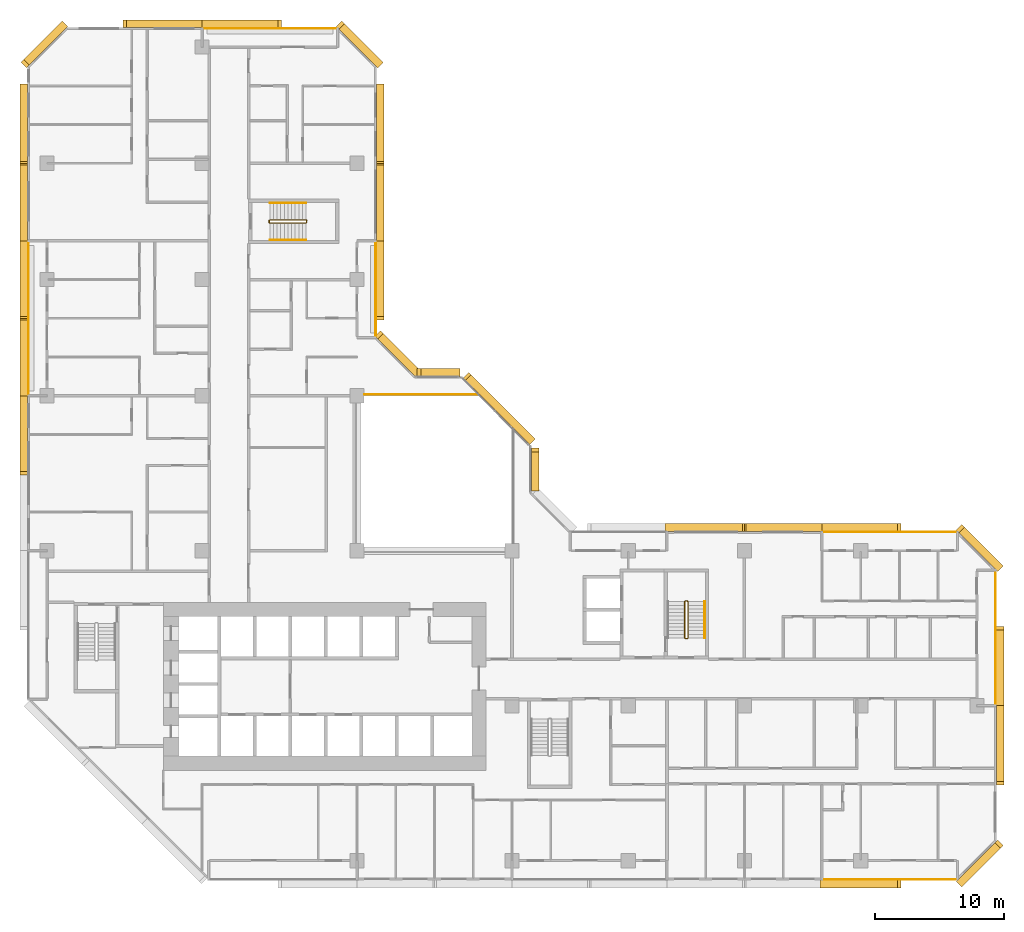
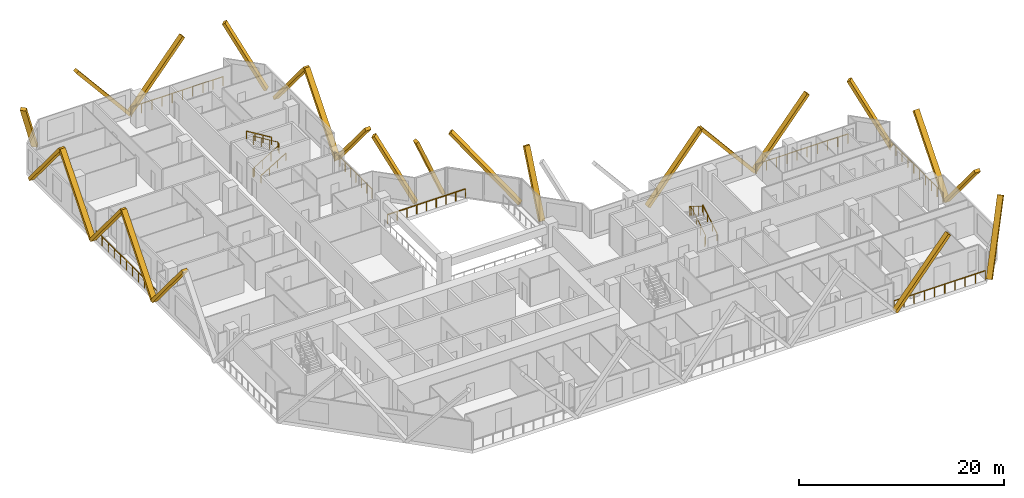
# One storey, part 16 of 16: 24 coverings, 12 railings.
"""IFC4 building model written with IfcOpenShell, lengths in metres."""

from ifc_helpers import new_model, si_unit, direction, frame, origin, origin_2d, place, context, subcontext, project, spatial, rectangle, extrude, material, material_profile, profile_set, type_object, element, save


model = new_model("IFC4")

# Units and contexts
model_context = context("Model", 3, precision=1e-05, world=origin(), true_north=direction((0.0, 1.0)))
body_context = subcontext(model_context, "Body", "Model", "MODEL_VIEW")
ifc_project = project(units=[si_unit("LENGTHUNIT", "METRE"), si_unit("AREAUNIT", "SQUARE_METRE"), si_unit("VOLUMEUNIT", "CUBIC_METRE"), si_unit("PLANEANGLEUNIT", "RADIAN"), si_unit("MASSUNIT", "GRAM", prefix="KILO")], contexts=[model_context])

# Site, building, storey
site_placement = place(None, origin())
site = spatial("IfcSite", under=ifc_project, at=site_placement, CompositionType="ELEMENT")
building_placement = place(site_placement, origin())
building = spatial("IfcBuilding", under=site, at=building_placement, Name="Chenar Terraces", CompositionType="ELEMENT")
storey_placement = place(building_placement, frame((0.0, 0.0, 71.39990234375)))
storey = spatial("IfcBuildingStorey", under=building, at=storey_placement, Name="L15", CompositionType="ELEMENT", Elevation=71.39990234375)

# Railings
ifc_material_1 = material(Name="Powder-coated steel", Category="steel")
railing_type_1 = type_object("IfcRailingType", Name="Guard 1100 steel rail with glass infill", PredefinedType="GUARDRAIL", material=ifc_material_1)
railing_1_placement = place(storey_placement, frame((24.60009765625, 36.10009765625, 0.0)))
element("IfcRailing", 1, at=railing_1_placement, inside=storey, type_object=railing_type_1, Name="Guard L15-2", PredefinedType="GUARDRAIL", context=body_context, shape_type="SweptSolid", body=[
    extrude(rectangle(XDim=0.06005859375, YDim=0.06005859375, at=origin_2d()), frame((0.0, 0.0, 1.070068359375), z_axis=(1.0, 0.0, 0.0), x_axis=(0.0, 1.0, 0.0)), (0.0, 0.0, 1.0), 8.7998046875),
    extrude(rectangle(XDim=0.050048828125, YDim=0.050048828125, at=origin_2d()), origin(), (0.0, 0.0, 1.0), 1.0400390625),
    extrude(rectangle(XDim=0.050048828125, YDim=0.050048828125, at=origin_2d()), frame((1.10009765625, 0.0, 0.0)), (0.0, 0.0, 1.0), 1.0400390625),
    extrude(rectangle(XDim=0.050048828125, YDim=0.050048828125, at=origin_2d()), frame((2.199951171875, 0.0, 0.0)), (0.0, 0.0, 1.0), 1.0400390625),
    extrude(rectangle(XDim=0.050048828125, YDim=0.050048828125, at=origin_2d()), frame((3.2998046875, 0.0, 0.0)), (0.0, 0.0, 1.0), 1.0400390625),
    extrude(rectangle(XDim=0.050048828125, YDim=0.050048828125, at=origin_2d()), frame((4.39990234375, 0.0, 0.0)), (0.0, 0.0, 1.0), 1.0400390625),
    extrude(rectangle(XDim=0.050048828125, YDim=0.050048828125, at=origin_2d()), frame((5.5, 0.0, 0.0)), (0.0, 0.0, 1.0), 1.0400390625),
    extrude(rectangle(XDim=0.050048828125, YDim=0.050048828125, at=origin_2d()), frame((6.599853515625, 0.0, 0.0)), (0.0, 0.0, 1.0), 1.0400390625),
    extrude(rectangle(XDim=0.050048828125, YDim=0.050048828125, at=origin_2d()), frame((7.69970703125, 0.0, 0.0)), (0.0, 0.0, 1.0), 1.0400390625),
    extrude(rectangle(XDim=0.050048828125, YDim=0.050048828125, at=origin_2d()), frame((8.7998046875, 0.0, 0.0)), (0.0, 0.0, 1.0), 1.0400390625),
])
ifc_material_2 = material(Name="Stainless steel and glass", Category="steel")
railing_type_2 = type_object("IfcRailingType", Name="Loggia guard 1150", PredefinedType="GUARDRAIL", material=ifc_material_2)
railing_2_placement = place(storey_placement, frame((25.449951171875, 40.574951171875, 0.0)))
element("IfcRailing", 2, at=railing_2_placement, inside=storey, type_object=railing_type_2, Name="Loggia guard", PredefinedType="GUARDRAIL", context=body_context, shape_type="SweptSolid", body=[
    extrude(rectangle(XDim=0.048095703125, YDim=0.048095703125, at=origin_2d()), frame((0.0, 0.0, 1.1259765625), z_axis=(0.0, 1.0, 0.0), x_axis=(-1.0, 0.0, 0.0)), (0.0, 0.0, 1.0), 7.35009765625),
    extrude(rectangle(XDim=0.0419921875, YDim=0.0419921875, at=origin_2d()), origin(), (0.0, 0.0, 1.0), 1.101806640625),
    extrude(rectangle(XDim=0.0419921875, YDim=0.0419921875, at=origin_2d()), frame((0.0, 1.050048828125, 0.0)), (0.0, 0.0, 1.0), 1.101806640625),
    extrude(rectangle(XDim=0.0419921875, YDim=0.0419921875, at=origin_2d()), frame((0.0, 2.10009765625, 0.0)), (0.0, 0.0, 1.0), 1.101806640625),
    extrude(rectangle(XDim=0.0419921875, YDim=0.0419921875, at=origin_2d()), frame((0.0, 3.150146484375, 0.0)), (0.0, 0.0, 1.0), 1.101806640625),
    extrude(rectangle(XDim=0.0419921875, YDim=0.0419921875, at=origin_2d()), frame((0.0, 4.199951171875, 0.0)), (0.0, 0.0, 1.0), 1.101806640625),
    extrude(rectangle(XDim=0.0419921875, YDim=0.0419921875, at=origin_2d()), frame((0.0, 5.25, 0.0)), (0.0, 0.0, 1.0), 1.101806640625),
    extrude(rectangle(XDim=0.0419921875, YDim=0.0419921875, at=origin_2d()), frame((0.0, 6.300048828125, 0.0)), (0.0, 0.0, 1.0), 1.101806640625),
    extrude(rectangle(XDim=0.0419921875, YDim=0.0419921875, at=origin_2d()), frame((0.0, 7.35009765625, 0.0)), (0.0, 0.0, 1.0), 1.101806640625),
])
railing_3_placement = place(storey_placement, frame((73.449951171875, 12.074951171875, 0.0)))
element("IfcRailing", 3, at=railing_3_placement, inside=storey, type_object=railing_type_2, Name="Loggia guard", PredefinedType="GUARDRAIL", context=body_context, shape_type="SweptSolid", body=[
    extrude(rectangle(XDim=0.048095703125, YDim=0.048095703125, at=origin_2d()), frame((0.0, 0.0, 1.1259765625), z_axis=(0.0, 1.0, 0.0), x_axis=(-1.0, 0.0, 0.0)), (0.0, 0.0, 1.0), 10.35009765625),
    extrude(rectangle(XDim=0.0419921875, YDim=0.0419921875, at=origin_2d()), origin(), (0.0, 0.0, 1.0), 1.101806640625),
    extrude(rectangle(XDim=0.0419921875, YDim=0.0419921875, at=origin_2d()), frame((0.0, 1.14990234375, 0.0)), (0.0, 0.0, 1.0), 1.101806640625),
    extrude(rectangle(XDim=0.0419921875, YDim=0.0419921875, at=origin_2d()), frame((0.0, 2.300048828125, 0.0)), (0.0, 0.0, 1.0), 1.101806640625),
    extrude(rectangle(XDim=0.0419921875, YDim=0.0419921875, at=origin_2d()), frame((0.0, 3.449951171875, 0.0)), (0.0, 0.0, 1.0), 1.101806640625),
    extrude(rectangle(XDim=0.0419921875, YDim=0.0419921875, at=origin_2d()), frame((0.0, 4.60009765625, 0.0)), (0.0, 0.0, 1.0), 1.101806640625),
    extrude(rectangle(XDim=0.0419921875, YDim=0.0419921875, at=origin_2d()), frame((0.0, 5.75, 0.0)), (0.0, 0.0, 1.0), 1.101806640625),
    extrude(rectangle(XDim=0.0419921875, YDim=0.0419921875, at=origin_2d()), frame((0.0, 6.900146484375, 0.0)), (0.0, 0.0, 1.0), 1.101806640625),
    extrude(rectangle(XDim=0.0419921875, YDim=0.0419921875, at=origin_2d()), frame((0.0, 8.050048828125, 0.0)), (0.0, 0.0, 1.0), 1.101806640625),
    extrude(rectangle(XDim=0.0419921875, YDim=0.0419921875, at=origin_2d()), frame((0.0, 9.2001953125, 0.0)), (0.0, 0.0, 1.0), 1.101806640625),
    extrude(rectangle(XDim=0.0419921875, YDim=0.0419921875, at=origin_2d()), frame((0.0, 10.35009765625, 0.0)), (0.0, 0.0, 1.0), 1.101806640625),
])
for number, where, name in (
    (4, (70.425048828125, 25.449951171875, 0.0), "Loggia guard"),
    (5, (22.425048828125, 64.449951171875, 0.0), "Loggia guard"),
):
    element("IfcRailing", number, at=place(storey_placement, frame(where)), inside=storey, type_object=railing_type_2, Name=name, PredefinedType="GUARDRAIL", context=body_context, shape_type="SweptSolid", body=[
        extrude(rectangle(XDim=0.048095703125, YDim=0.048095703125, at=origin_2d()), frame((0.0, 0.0, 1.1259765625), z_axis=(-1.0, 0.0, 0.0), x_axis=(0.0, -1.0, 0.0)), (0.0, 0.0, 1.0), 10.35009765625),
        extrude(rectangle(XDim=0.0419921875, YDim=0.0419921875, at=origin_2d()), origin(), (0.0, 0.0, 1.0), 1.101806640625),
        extrude(rectangle(XDim=0.0419921875, YDim=0.0419921875, at=origin_2d()), frame((-1.14990234375, 0.0, 0.0)), (0.0, 0.0, 1.0), 1.101806640625),
        extrude(rectangle(XDim=0.0419921875, YDim=0.0419921875, at=origin_2d()), frame((-2.300048828125, 0.0, 0.0)), (0.0, 0.0, 1.0), 1.101806640625),
        extrude(rectangle(XDim=0.0419921875, YDim=0.0419921875, at=origin_2d()), frame((-3.449951171875, 0.0, 0.0)), (0.0, 0.0, 1.0), 1.101806640625),
        extrude(rectangle(XDim=0.0419921875, YDim=0.0419921875, at=origin_2d()), frame((-4.60009765625, 0.0, 0.0)), (0.0, 0.0, 1.0), 1.101806640625),
        extrude(rectangle(XDim=0.0419921875, YDim=0.0419921875, at=origin_2d()), frame((-5.75, 0.0, 0.0)), (0.0, 0.0, 1.0), 1.101806640625),
        extrude(rectangle(XDim=0.0419921875, YDim=0.0419921875, at=origin_2d()), frame((-6.900146484375, 0.0, 0.0)), (0.0, 0.0, 1.0), 1.101806640625),
        extrude(rectangle(XDim=0.0419921875, YDim=0.0419921875, at=origin_2d()), frame((-8.050048828125, 0.0, 0.0)), (0.0, 0.0, 1.0), 1.101806640625),
        extrude(rectangle(XDim=0.0419921875, YDim=0.0419921875, at=origin_2d()), frame((-9.2001953125, 0.0, 0.0)), (0.0, 0.0, 1.0), 1.101806640625),
        extrude(rectangle(XDim=0.0419921875, YDim=0.0419921875, at=origin_2d()), frame((-10.35009765625, 0.0, 0.0)), (0.0, 0.0, 1.0), 1.101806640625),
    ])
railing_4_placement = place(storey_placement, frame((60.074951171875, -1.449951171875, 0.0)))
element("IfcRailing", 6, at=railing_4_placement, inside=storey, type_object=railing_type_2, Name="Loggia guard", PredefinedType="GUARDRAIL", context=body_context, shape_type="SweptSolid", body=[
    extrude(rectangle(XDim=0.048095703125, YDim=0.048095703125, at=origin_2d()), frame((0.0, 0.0, 1.1259765625), z_axis=(1.0, 0.0, 0.0), x_axis=(0.0, 1.0, 0.0)), (0.0, 0.0, 1.0), 10.35009765625),
    extrude(rectangle(XDim=0.0419921875, YDim=0.0419921875, at=origin_2d()), origin(), (0.0, 0.0, 1.0), 1.101806640625),
    extrude(rectangle(XDim=0.0419921875, YDim=0.0419921875, at=origin_2d()), frame((1.14990234375, 0.0, 0.0)), (0.0, 0.0, 1.0), 1.101806640625),
    extrude(rectangle(XDim=0.0419921875, YDim=0.0419921875, at=origin_2d()), frame((2.300048828125, 0.0, 0.0)), (0.0, 0.0, 1.0), 1.101806640625),
    extrude(rectangle(XDim=0.0419921875, YDim=0.0419921875, at=origin_2d()), frame((3.449951171875, 0.0, 0.0)), (0.0, 0.0, 1.0), 1.101806640625),
    extrude(rectangle(XDim=0.0419921875, YDim=0.0419921875, at=origin_2d()), frame((4.60009765625, 0.0, 0.0)), (0.0, 0.0, 1.0), 1.101806640625),
    extrude(rectangle(XDim=0.0419921875, YDim=0.0419921875, at=origin_2d()), frame((5.75, 0.0, 0.0)), (0.0, 0.0, 1.0), 1.101806640625),
    extrude(rectangle(XDim=0.0419921875, YDim=0.0419921875, at=origin_2d()), frame((6.900146484375, 0.0, 0.0)), (0.0, 0.0, 1.0), 1.101806640625),
    extrude(rectangle(XDim=0.0419921875, YDim=0.0419921875, at=origin_2d()), frame((8.050048828125, 0.0, 0.0)), (0.0, 0.0, 1.0), 1.101806640625),
    extrude(rectangle(XDim=0.0419921875, YDim=0.0419921875, at=origin_2d()), frame((9.2001953125, 0.0, 0.0)), (0.0, 0.0, 1.0), 1.101806640625),
    extrude(rectangle(XDim=0.0419921875, YDim=0.0419921875, at=origin_2d()), frame((10.35009765625, 0.0, 0.0)), (0.0, 0.0, 1.0), 1.101806640625),
])
railing_5_placement = place(storey_placement, frame((-1.449951171875, 47.925048828125, 0.0)))
element("IfcRailing", 7, at=railing_5_placement, inside=storey, type_object=railing_type_2, Name="Loggia guard", PredefinedType="GUARDRAIL", context=body_context, shape_type="SweptSolid", body=[
    extrude(rectangle(XDim=0.048095703125, YDim=0.048095703125, at=origin_2d()), frame((0.0, 0.0, 1.1259765625), z_axis=(0.0, -1.0, 0.0), x_axis=(1.0, 0.0, 0.0)), (0.0, 0.0, 1.0), 11.85009765625),
    extrude(rectangle(XDim=0.0419921875, YDim=0.0419921875, at=origin_2d()), origin(), (0.0, 0.0, 1.0), 1.101806640625),
    extrude(rectangle(XDim=0.0419921875, YDim=0.0419921875, at=origin_2d()), frame((0.0, -1.18505859375, 0.0)), (0.0, 0.0, 1.0), 1.101806640625),
    extrude(rectangle(XDim=0.0419921875, YDim=0.0419921875, at=origin_2d()), frame((0.0, -2.3701171875, 0.0)), (0.0, 0.0, 1.0), 1.101806640625),
    extrude(rectangle(XDim=0.0419921875, YDim=0.0419921875, at=origin_2d()), frame((0.0, -3.554931640625, 0.0)), (0.0, 0.0, 1.0), 1.101806640625),
    extrude(rectangle(XDim=0.0419921875, YDim=0.0419921875, at=origin_2d()), frame((0.0, -4.739990234375, 0.0)), (0.0, 0.0, 1.0), 1.101806640625),
    extrude(rectangle(XDim=0.0419921875, YDim=0.0419921875, at=origin_2d()), frame((0.0, -5.925048828125, 0.0)), (0.0, 0.0, 1.0), 1.101806640625),
    extrude(rectangle(XDim=0.0419921875, YDim=0.0419921875, at=origin_2d()), frame((0.0, -7.110107421875, 0.0)), (0.0, 0.0, 1.0), 1.101806640625),
    extrude(rectangle(XDim=0.0419921875, YDim=0.0419921875, at=origin_2d()), frame((0.0, -8.295166015625, 0.0)), (0.0, 0.0, 1.0), 1.101806640625),
    extrude(rectangle(XDim=0.0419921875, YDim=0.0419921875, at=origin_2d()), frame((0.0, -9.47998046875, 0.0)), (0.0, 0.0, 1.0), 1.101806640625),
    extrude(rectangle(XDim=0.0419921875, YDim=0.0419921875, at=origin_2d()), frame((0.0, -10.6650390625, 0.0)), (0.0, 0.0, 1.0), 1.101806640625),
    extrude(rectangle(XDim=0.0419921875, YDim=0.0419921875, at=origin_2d()), frame((0.0, -11.85009765625, 0.0)), (0.0, 0.0, 1.0), 1.101806640625),
])
ifc_material_3 = material(Name="Powder-coated steel", Category="steel")
railing_type_3 = type_object("IfcRailingType", Name="Stair guard 1100", PredefinedType="GUARDRAIL", material=ifc_material_3)
railing_6_placement = place(storey_placement, frame((49.375, 17.25, 3.75)))
element("IfcRailing", 8, at=railing_6_placement, inside=storey, type_object=railing_type_3, Name="L15 ST3 stair guard 1", PredefinedType="GUARDRAIL", context=body_context, shape_type="SweptSolid", body=[
    extrude(rectangle(XDim=0.048095703125, YDim=0.048095703125, at=origin_2d()), frame((0.0, 0.0, 1.076171875), z_axis=(0.0, 0.854202870247, -0.519939858505), x_axis=(-1.0, 0.0, 0.0)), (0.0, 0.0, 1.0), 3.278076171875),
    extrude(rectangle(XDim=0.048095703125, YDim=0.048095703125, at=origin_2d()), frame((0.0, 2.800048828125, -0.62841796875), z_axis=(0.270899902878, 0.270899902878, -0.923702595667), x_axis=(-0.707106781187, 0.707106781187, 0.0)), (0.0, 0.0, 1.0), 0.184814453125),
    extrude(rectangle(XDim=0.048095703125, YDim=0.048095703125, at=origin_2d()), frame((0.050048828125, 2.85009765625, -0.798828125), z_axis=(1.0, 0.0, 0.0), x_axis=(0.0, 1.0, 0.0)), (0.0, 0.0, 1.0), 0.14990234375),
    extrude(rectangle(XDim=0.048095703125, YDim=0.048095703125, at=origin_2d()), frame((0.199951171875, 2.85009765625, -0.798828125), z_axis=(0.707106781187, -0.707106781187, 0.0), x_axis=(0.707106781187, 0.707106781187, 0.0)), (0.0, 0.0, 1.0), 0.07080078125),
    extrude(rectangle(XDim=0.048095703125, YDim=0.048095703125, at=origin_2d()), frame((0.25, 2.800048828125, -0.798828125), z_axis=(0.0, -0.854202870247, -0.519939858505), x_axis=(1.0, 0.0, 0.0)), (0.0, 0.0, 1.0), 3.278076171875),
    extrude(rectangle(XDim=0.048095703125, YDim=0.048095703125, at=origin_2d()), frame((0.25, 0.0, -2.50341796875), z_axis=(-0.270899902878, -0.270899902878, -0.923702595667), x_axis=(0.707106781187, -0.707106781187, 0.0)), (0.0, 0.0, 1.0), 0.184814453125),
    extrude(rectangle(XDim=0.048095703125, YDim=0.048095703125, at=origin_2d()), frame((0.199951171875, -0.050048828125, -2.673828125), z_axis=(-1.0, 0.0, 0.0), x_axis=(0.0, -1.0, 0.0)), (0.0, 0.0, 1.0), 0.14990234375),
    extrude(rectangle(XDim=0.0419921875, YDim=0.0419921875, at=origin_2d()), origin(), (0.0, 0.0, 1.0), 1.052001953125),
    extrude(rectangle(XDim=0.0419921875, YDim=0.0419921875, at=origin_2d()), frame((0.0, 0.933349609375, -0.568115234375)), (0.0, 0.0, 1.0), 1.052001953125),
    extrude(rectangle(XDim=0.0419921875, YDim=0.0419921875, at=origin_2d()), frame((0.0, 1.86669921875, -1.13623046875)), (0.0, 0.0, 1.0), 1.052001953125),
    extrude(rectangle(XDim=0.0419921875, YDim=0.0419921875, at=origin_2d()), frame((0.0, 2.800048828125, -1.704345703125)), (0.0, 0.0, 1.0), 1.052001953125),
    extrude(rectangle(XDim=0.0419921875, YDim=0.0419921875, at=origin_2d()), frame((0.050048828125, 2.85009765625, -1.875)), (0.0, 0.0, 1.0), 1.052001953125),
    extrude(rectangle(XDim=0.0419921875, YDim=0.0419921875, at=origin_2d()), frame((0.199951171875, 2.85009765625, -1.875)), (0.0, 0.0, 1.0), 1.052001953125),
    extrude(rectangle(XDim=0.0419921875, YDim=0.0419921875, at=origin_2d()), frame((0.25, 2.800048828125, -1.875)), (0.0, 0.0, 1.0), 1.052001953125),
    extrude(rectangle(XDim=0.0419921875, YDim=0.0419921875, at=origin_2d()), frame((0.25, 1.86669921875, -2.443115234375)), (0.0, 0.0, 1.0), 1.052001953125),
    extrude(rectangle(XDim=0.0419921875, YDim=0.0419921875, at=origin_2d()), frame((0.25, 0.933349609375, -3.01123046875)), (0.0, 0.0, 1.0), 1.052001953125),
    extrude(rectangle(XDim=0.0419921875, YDim=0.0419921875, at=origin_2d()), frame((0.25, 0.0, -3.579345703125)), (0.0, 0.0, 1.0), 1.052001953125),
    extrude(rectangle(XDim=0.0419921875, YDim=0.0419921875, at=origin_2d()), frame((0.199951171875, -0.050048828125, -3.75)), (0.0, 0.0, 1.0), 1.052001953125),
    extrude(rectangle(XDim=0.0419921875, YDim=0.0419921875, at=origin_2d()), frame((0.050048828125, -0.050048828125, -3.75)), (0.0, 0.0, 1.0), 1.052001953125),
])
railing_7_placement = place(storey_placement, frame((17.25, 49.625, 3.75)))
element("IfcRailing", 9, at=railing_7_placement, inside=storey, type_object=railing_type_3, Name="L15 ST4 stair guard 1", PredefinedType="GUARDRAIL", context=body_context, shape_type="SweptSolid", body=[
    extrude(rectangle(XDim=0.048095703125, YDim=0.048095703125, at=origin_2d()), frame((0.0, 0.0, 1.076171875), z_axis=(0.854202870247, 0.0, -0.519939858505), x_axis=(0.0, 1.0, 0.0)), (0.0, 0.0, 1.0), 3.278076171875),
    extrude(rectangle(XDim=0.048095703125, YDim=0.048095703125, at=origin_2d()), frame((2.800048828125, 0.0, -0.62841796875), z_axis=(0.270899902878, -0.270899902878, -0.923702595667), x_axis=(0.707106781187, 0.707106781187, 0.0)), (0.0, 0.0, 1.0), 0.184814453125),
    extrude(rectangle(XDim=0.048095703125, YDim=0.048095703125, at=origin_2d()), frame((2.85009765625, -0.050048828125, -0.798828125), z_axis=(0.0, -1.0, 0.0), x_axis=(1.0, 0.0, 0.0)), (0.0, 0.0, 1.0), 0.14990234375),
    extrude(rectangle(XDim=0.048095703125, YDim=0.048095703125, at=origin_2d()), frame((2.85009765625, -0.199951171875, -0.798828125), z_axis=(-0.707106781187, -0.707106781187, 0.0), x_axis=(0.707106781187, -0.707106781187, 0.0)), (0.0, 0.0, 1.0), 0.07080078125),
    extrude(rectangle(XDim=0.048095703125, YDim=0.048095703125, at=origin_2d()), frame((2.800048828125, -0.25, -0.798828125), z_axis=(-0.854202870247, 0.0, -0.519939858505), x_axis=(0.0, -1.0, 0.0)), (0.0, 0.0, 1.0), 3.278076171875),
    extrude(rectangle(XDim=0.048095703125, YDim=0.048095703125, at=origin_2d()), frame((0.0, -0.25, -2.50341796875), z_axis=(-0.270899902878, 0.270899902878, -0.923702595667), x_axis=(-0.707106781187, -0.707106781187, 0.0)), (0.0, 0.0, 1.0), 0.184814453125),
    extrude(rectangle(XDim=0.048095703125, YDim=0.048095703125, at=origin_2d()), frame((-0.050048828125, -0.199951171875, -2.673828125), z_axis=(0.0, 1.0, 0.0), x_axis=(-1.0, 0.0, 0.0)), (0.0, 0.0, 1.0), 0.14990234375),
    extrude(rectangle(XDim=0.0419921875, YDim=0.0419921875, at=origin_2d()), origin(), (0.0, 0.0, 1.0), 1.052001953125),
    extrude(rectangle(XDim=0.0419921875, YDim=0.0419921875, at=origin_2d()), frame((0.933349609375, 0.0, -0.568115234375)), (0.0, 0.0, 1.0), 1.052001953125),
    extrude(rectangle(XDim=0.0419921875, YDim=0.0419921875, at=origin_2d()), frame((1.86669921875, 0.0, -1.13623046875)), (0.0, 0.0, 1.0), 1.052001953125),
    extrude(rectangle(XDim=0.0419921875, YDim=0.0419921875, at=origin_2d()), frame((2.800048828125, 0.0, -1.704345703125)), (0.0, 0.0, 1.0), 1.052001953125),
    extrude(rectangle(XDim=0.0419921875, YDim=0.0419921875, at=origin_2d()), frame((2.85009765625, -0.050048828125, -1.875)), (0.0, 0.0, 1.0), 1.052001953125),
    extrude(rectangle(XDim=0.0419921875, YDim=0.0419921875, at=origin_2d()), frame((2.85009765625, -0.199951171875, -1.875)), (0.0, 0.0, 1.0), 1.052001953125),
    extrude(rectangle(XDim=0.0419921875, YDim=0.0419921875, at=origin_2d()), frame((2.800048828125, -0.25, -1.875)), (0.0, 0.0, 1.0), 1.052001953125),
    extrude(rectangle(XDim=0.0419921875, YDim=0.0419921875, at=origin_2d()), frame((1.86669921875, -0.25, -2.443115234375)), (0.0, 0.0, 1.0), 1.052001953125),
    extrude(rectangle(XDim=0.0419921875, YDim=0.0419921875, at=origin_2d()), frame((0.933349609375, -0.25, -3.01123046875)), (0.0, 0.0, 1.0), 1.052001953125),
    extrude(rectangle(XDim=0.0419921875, YDim=0.0419921875, at=origin_2d()), frame((0.0, -0.25, -3.579345703125)), (0.0, 0.0, 1.0), 1.052001953125),
    extrude(rectangle(XDim=0.0419921875, YDim=0.0419921875, at=origin_2d()), frame((-0.050048828125, -0.199951171875, -3.75)), (0.0, 0.0, 1.0), 1.052001953125),
    extrude(rectangle(XDim=0.0419921875, YDim=0.0419921875, at=origin_2d()), frame((-0.050048828125, -0.050048828125, -3.75)), (0.0, 0.0, 1.0), 1.052001953125),
])
ifc_material_4 = material(Name="Powder-coated steel", Category="steel")
railing_type_4 = type_object("IfcRailingType", Name="Stair handrail 900", PredefinedType="HANDRAIL", material=ifc_material_4)
railing_8_placement = place(storey_placement, frame((50.925048828125, 17.25, 0.170654296875)))
element("IfcRailing", 10, at=railing_8_placement, inside=storey, type_object=railing_type_4, Name="L15 ST3 stair handrail 1", PredefinedType="HANDRAIL", context=body_context, shape_type="SweptSolid", body=[
    extrude(rectangle(XDim=0.048095703125, YDim=0.048095703125, at=origin_2d()), frame((0.0, 0.0, 0.8759765625), z_axis=(0.0, 0.854202870247, 0.519939858505), x_axis=(-1.0, 0.0, 0.0)), (0.0, 0.0, 1.0), 3.278076171875),
    extrude(rectangle(XDim=0.0419921875, YDim=0.0419921875, at=origin_2d()), origin(), (0.0, 0.0, 1.0), 0.851806640625),
    extrude(rectangle(XDim=0.0419921875, YDim=0.0419921875, at=origin_2d()), frame((0.0, 0.933349609375, 0.568115234375)), (0.0, 0.0, 1.0), 0.851806640625),
    extrude(rectangle(XDim=0.0419921875, YDim=0.0419921875, at=origin_2d()), frame((0.0, 1.86669921875, 1.13623046875)), (0.0, 0.0, 1.0), 0.851806640625),
    extrude(rectangle(XDim=0.0419921875, YDim=0.0419921875, at=origin_2d()), frame((0.0, 2.800048828125, 1.704345703125)), (0.0, 0.0, 1.0), 0.851806640625),
])
railing_9_placement = place(storey_placement, frame((17.25, 48.074951171875, 0.170654296875)))
element("IfcRailing", 11, at=railing_9_placement, inside=storey, type_object=railing_type_4, Name="L15 ST4 stair handrail 1", PredefinedType="HANDRAIL", context=body_context, shape_type="SweptSolid", body=[
    extrude(rectangle(XDim=0.048095703125, YDim=0.048095703125, at=origin_2d()), frame((0.0, 0.0, 0.8759765625), z_axis=(0.854202870247, 0.0, 0.519939858505), x_axis=(0.0, 1.0, 0.0)), (0.0, 0.0, 1.0), 3.278076171875),
    extrude(rectangle(XDim=0.0419921875, YDim=0.0419921875, at=origin_2d()), origin(), (0.0, 0.0, 1.0), 0.851806640625),
    extrude(rectangle(XDim=0.0419921875, YDim=0.0419921875, at=origin_2d()), frame((0.933349609375, 0.0, 0.568115234375)), (0.0, 0.0, 1.0), 0.851806640625),
    extrude(rectangle(XDim=0.0419921875, YDim=0.0419921875, at=origin_2d()), frame((1.86669921875, 0.0, 1.13623046875)), (0.0, 0.0, 1.0), 0.851806640625),
    extrude(rectangle(XDim=0.0419921875, YDim=0.0419921875, at=origin_2d()), frame((2.800048828125, 0.0, 1.704345703125)), (0.0, 0.0, 1.0), 0.851806640625),
])
railing_10_placement = place(storey_placement, frame((20.050048828125, 50.925048828125, 2.045654296875)))
element("IfcRailing", 12, at=railing_10_placement, inside=storey, type_object=railing_type_4, Name="L15 ST4 stair handrail 2", PredefinedType="HANDRAIL", context=body_context, shape_type="SweptSolid", body=[
    extrude(rectangle(XDim=0.048095703125, YDim=0.048095703125, at=origin_2d()), frame((0.0, 0.0, 0.8759765625), z_axis=(-0.854202870247, 0.0, 0.519939858505), x_axis=(0.0, -1.0, 0.0)), (0.0, 0.0, 1.0), 3.278076171875),
    extrude(rectangle(XDim=0.0419921875, YDim=0.0419921875, at=origin_2d()), origin(), (0.0, 0.0, 1.0), 0.851806640625),
    extrude(rectangle(XDim=0.0419921875, YDim=0.0419921875, at=origin_2d()), frame((-0.933349609375, 0.0, 0.568115234375)), (0.0, 0.0, 1.0), 0.851806640625),
    extrude(rectangle(XDim=0.0419921875, YDim=0.0419921875, at=origin_2d()), frame((-1.86669921875, 0.0, 1.13623046875)), (0.0, 0.0, 1.0), 0.851806640625),
    extrude(rectangle(XDim=0.0419921875, YDim=0.0419921875, at=origin_2d()), frame((-2.800048828125, 0.0, 1.704345703125)), (0.0, 0.0, 1.0), 0.851806640625),
])

# Coverings
ifc_material_5 = material(Name="Terracotta", Category="masonry")
ifc_material_profile = material_profile(ifc_material_5, rectangle(XDim=0.60009765625, YDim=0.35009765625, at=origin_2d()), Name="Terracotta baguette 600 x 350")
ifc_profile_set = profile_set([ifc_material_profile], Name="Terracotta")
covering_type = type_object("IfcCoveringType", Name="Terracotta baguette 600 x 350", PredefinedType="CLADDING", material=ifc_profile_set)
for number, where, z_axis, x_axis, name in (
    (13, (66.0, 25.800048828125, 7.35009765625), (-0.640186961885, 0.0, -0.768219144407), (0.0, -1.0, 0.0), "Terracotta baguette"),
    (14, (60.0, 25.800048828125, 0.150146484375), (-0.640186961885, 0.0, 0.768219144407), (0.0, -1.0, 0.0), "Terracotta baguette"),
    (15, (54.0, 25.800048828125, 7.35009765625), (-0.640186961885, 0.0, -0.768219144407), (0.0, -1.0, 0.0), "Terracotta baguette"),
):
    element("IfcCovering", number, at=place(storey_placement, frame(where, z_axis=z_axis, x_axis=x_axis)), inside=storey, type_object=covering_type, Name=name, PredefinedType="CLADDING", context=body_context, shape_type="SweptSolid", body=[
        extrude(rectangle(XDim=0.60009765625, YDim=0.35009765625, at=origin_2d()), origin(), (0.0, 0.0, 1.0), 9.372314453125),
    ])
covering_1_placement = place(storey_placement, frame((37.800048828125, 28.800048828125, 0.150146484375), z_axis=(0.0, 0.384617607118, 0.923075997031), x_axis=(-1.0, 0.0, 0.0)))
element("IfcCovering", 16, at=covering_1_placement, inside=storey, type_object=covering_type, Name="Terracotta baguette", PredefinedType="CLADDING", context=body_context, shape_type="SweptSolid", body=[
    extrude(rectangle(XDim=0.60009765625, YDim=0.35009765625, at=origin_2d()), origin(), (0.0, 0.0, 1.0), 7.800048828125),
])
covering_2_placement = place(storey_placement, frame((37.5, 32.524169921875, 0.150146484375), z_axis=(-0.494240720479, 0.494240720479, 0.715158877761), x_axis=(-0.707106781187, -0.707106781187, 0.0)))
element("IfcCovering", 17, at=covering_2_placement, inside=storey, type_object=covering_type, Name="Terracotta baguette", PredefinedType="CLADDING", context=body_context, shape_type="SweptSolid", body=[
    extrude(rectangle(XDim=0.60009765625, YDim=0.35009765625, at=origin_2d()), origin(), (0.0, 0.0, 1.0), 10.067626953125),
])
covering_3_placement = place(storey_placement, frame((31.800048828125, 37.800048828125, 0.150146484375), z_axis=(-0.384617607118, 0.0, 0.923075997031), x_axis=(0.0, -1.0, 0.0)))
element("IfcCovering", 18, at=covering_3_placement, inside=storey, type_object=covering_type, Name="Terracotta baguette", PredefinedType="CLADDING", context=body_context, shape_type="SweptSolid", body=[
    extrude(rectangle(XDim=0.60009765625, YDim=0.35009765625, at=origin_2d()), origin(), (0.0, 0.0, 1.0), 7.800048828125),
])
covering_4_placement = place(storey_placement, frame((28.712158203125, 37.712158203125, 0.150146484375), z_axis=(-0.358980886355, 0.358980886355, 0.861548284464), x_axis=(-0.707106781187, -0.707106781187, 0.0)))
element("IfcCovering", 19, at=covering_4_placement, inside=storey, type_object=covering_type, Name="Terracotta baguette", PredefinedType="CLADDING", context=body_context, shape_type="SweptSolid", body=[
    extrude(rectangle(XDim=0.60009765625, YDim=0.35009765625, at=origin_2d()), origin(), (0.0, 0.0, 1.0), 8.35693359375),
])
for number, where, z_axis, x_axis, name in (
    (20, (25.800048828125, 42.0, 7.35009765625), (0.0, 0.640186961885, -0.768219144407), (-1.0, 0.0, 0.0), "Terracotta baguette"),
    (21, (25.800048828125, 48.0, 0.150146484375), (0.0, 0.640186961885, 0.768219144407), (-1.0, 0.0, 0.0), "Terracotta baguette"),
    (22, (25.800048828125, 54.0, 7.35009765625), (0.0, 0.640186961885, -0.768219144407), (-1.0, 0.0, 0.0), "Terracotta baguette"),
):
    element("IfcCovering", number, at=place(storey_placement, frame(where, z_axis=z_axis, x_axis=x_axis)), inside=storey, type_object=covering_type, Name=name, PredefinedType="CLADDING", context=body_context, shape_type="SweptSolid", body=[
        extrude(rectangle(XDim=0.60009765625, YDim=0.35009765625, at=origin_2d()), origin(), (0.0, 0.0, 1.0), 9.372314453125),
    ])
covering_5_placement = place(storey_placement, frame((25.712158203125, 61.712158203125, 0.150146484375), z_axis=(-0.358980886355, 0.358980886355, 0.861548284464), x_axis=(-0.707106781187, -0.707106781187, 0.0)))
element("IfcCovering", 23, at=covering_5_placement, inside=storey, type_object=covering_type, Name="Terracotta baguette", PredefinedType="CLADDING", context=body_context, shape_type="SweptSolid", body=[
    extrude(rectangle(XDim=0.60009765625, YDim=0.35009765625, at=origin_2d()), origin(), (0.0, 0.0, 1.0), 8.35693359375),
])
for number, where, z_axis, x_axis, name in (
    (24, (18.0, 64.800048828125, 7.35009765625), (-0.640186961885, 0.0, -0.768219144407), (0.0, -1.0, 0.0), "Terracotta baguette"),
    (25, (12.0, 64.800048828125, 0.150146484375), (-0.640186961885, 0.0, 0.768219144407), (0.0, -1.0, 0.0), "Terracotta baguette"),
):
    element("IfcCovering", number, at=place(storey_placement, frame(where, z_axis=z_axis, x_axis=x_axis)), inside=storey, type_object=covering_type, Name=name, PredefinedType="CLADDING", context=body_context, shape_type="SweptSolid", body=[
        extrude(rectangle(XDim=0.60009765625, YDim=0.35009765625, at=origin_2d()), origin(), (0.0, 0.0, 1.0), 9.372314453125),
    ])
covering_6_placement = place(storey_placement, frame((1.287841796875, 64.712158203125, 0.150146484375), z_axis=(-0.358980886355, -0.358980886355, 0.861548284464), x_axis=(0.707106781187, -0.707106781187, 0.0)))
element("IfcCovering", 26, at=covering_6_placement, inside=storey, type_object=covering_type, Name="Terracotta baguette", PredefinedType="CLADDING", context=body_context, shape_type="SweptSolid", body=[
    extrude(rectangle(XDim=0.60009765625, YDim=0.35009765625, at=origin_2d()), origin(), (0.0, 0.0, 1.0), 8.35693359375),
])
for number, where, z_axis, x_axis, name in (
    (27, (-1.800048828125, 60.0, 0.150146484375), (0.0, -0.640186961885, 0.768219144407), (1.0, 0.0, 0.0), "Terracotta baguette"),
    (28, (-1.800048828125, 54.0, 7.35009765625), (0.0, -0.640186961885, -0.768219144407), (1.0, 0.0, 0.0), "Terracotta baguette"),
    (29, (-1.800048828125, 48.0, 0.150146484375), (0.0, -0.640186961885, 0.768219144407), (1.0, 0.0, 0.0), "Terracotta baguette"),
    (30, (-1.800048828125, 42.0, 7.35009765625), (0.0, -0.640186961885, -0.768219144407), (1.0, 0.0, 0.0), "Terracotta baguette"),
    (31, (-1.800048828125, 36.0, 0.150146484375), (0.0, -0.640186961885, 0.768219144407), (1.0, 0.0, 0.0), "Terracotta baguette"),
    (32, (60.0, -1.800048828125, 0.150146484375), (0.640186961885, 0.0, 0.768219144407), (0.0, 1.0, 0.0), "Terracotta baguette"),
):
    element("IfcCovering", number, at=place(storey_placement, frame(where, z_axis=z_axis, x_axis=x_axis)), inside=storey, type_object=covering_type, Name=name, PredefinedType="CLADDING", context=body_context, shape_type="SweptSolid", body=[
        extrude(rectangle(XDim=0.60009765625, YDim=0.35009765625, at=origin_2d()), origin(), (0.0, 0.0, 1.0), 9.372314453125),
    ])
covering_7_placement = place(storey_placement, frame((70.712158203125, -1.712158203125, 0.150146484375), z_axis=(0.358980886355, 0.358980886355, 0.861548284464), x_axis=(-0.707106781187, 0.707106781187, 0.0)))
element("IfcCovering", 33, at=covering_7_placement, inside=storey, type_object=covering_type, Name="Terracotta baguette", PredefinedType="CLADDING", context=body_context, shape_type="SweptSolid", body=[
    extrude(rectangle(XDim=0.60009765625, YDim=0.35009765625, at=origin_2d()), origin(), (0.0, 0.0, 1.0), 8.35693359375),
])
for number, where, z_axis, x_axis, name in (
    (34, (73.800048828125, 6.0, 7.35009765625), (0.0, 0.640186961885, -0.768219144407), (-1.0, 0.0, 0.0), "Terracotta baguette"),
    (35, (73.800048828125, 12.0, 0.150146484375), (0.0, 0.640186961885, 0.768219144407), (-1.0, 0.0, 0.0), "Terracotta baguette"),
):
    element("IfcCovering", number, at=place(storey_placement, frame(where, z_axis=z_axis, x_axis=x_axis)), inside=storey, type_object=covering_type, Name=name, PredefinedType="CLADDING", context=body_context, shape_type="SweptSolid", body=[
        extrude(rectangle(XDim=0.60009765625, YDim=0.35009765625, at=origin_2d()), origin(), (0.0, 0.0, 1.0), 9.372314453125),
    ])
covering_8_placement = place(storey_placement, frame((73.712158203125, 22.712158203125, 0.150146484375), z_axis=(-0.358980886355, 0.358980886355, 0.861548284464), x_axis=(-0.707106781187, -0.707106781187, 0.0)))
element("IfcCovering", 36, at=covering_8_placement, inside=storey, type_object=covering_type, Name="Terracotta baguette", PredefinedType="CLADDING", context=body_context, shape_type="SweptSolid", body=[
    extrude(rectangle(XDim=0.60009765625, YDim=0.35009765625, at=origin_2d()), origin(), (0.0, 0.0, 1.0), 8.35693359375),
])

save(model, "model.ifc")
